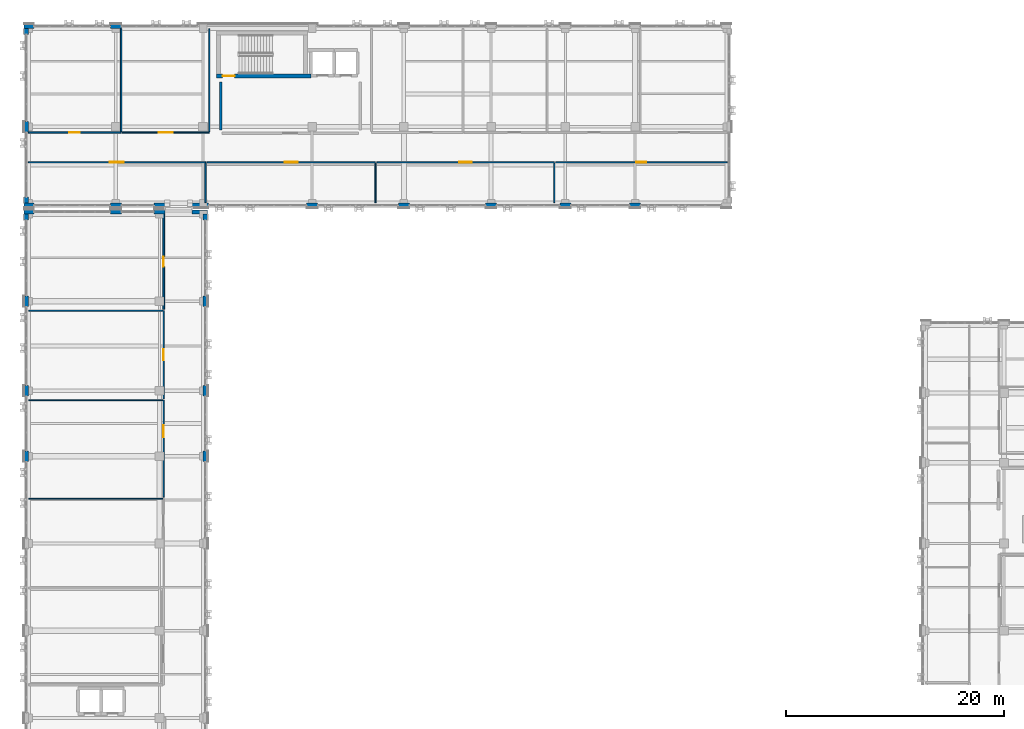
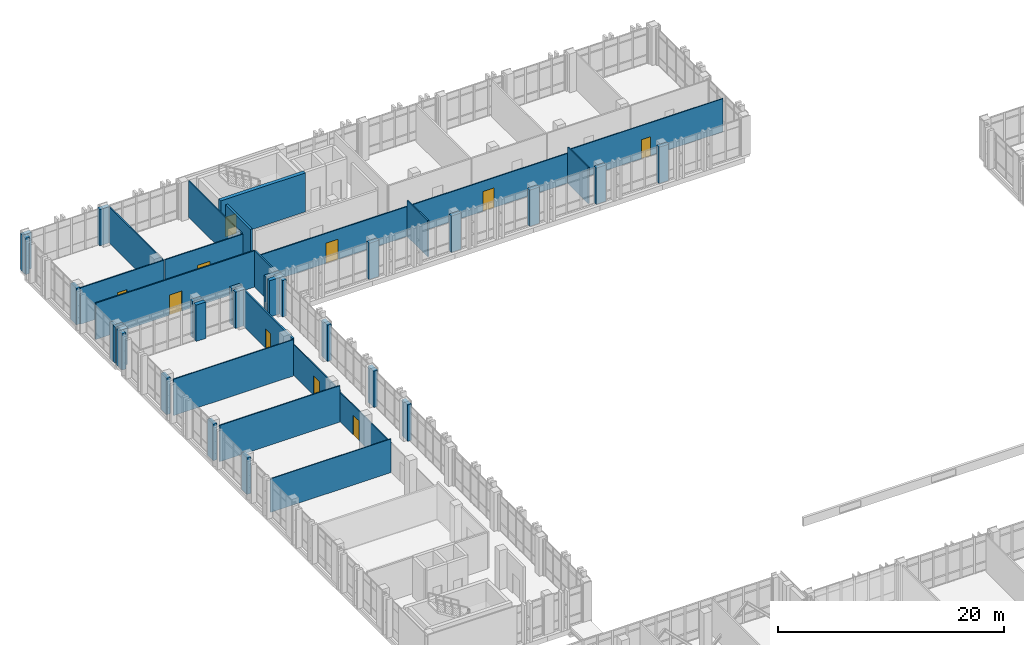
# One storey, part 133 of 158: 45 walls, 10 doors, 10 openings.
"""IFC4 building model written with IfcOpenShell, lengths in metres."""

from ifc_helpers import new_model, si_unit, direction, frame, frame_2d, origin, place, context, subcontext, project, spatial, rectangle, extrude, material, layer, layer_set, type_object, element, fill, save


model = new_model("IFC4")

# Units and contexts
model_context = context("Model", 3, precision=1e-05, world=origin(), true_north=direction((0.0, 1.0)))
body_context = subcontext(model_context, "Body", "Model", "MODEL_VIEW")
ifc_project = project(units=[si_unit("LENGTHUNIT", "METRE"), si_unit("AREAUNIT", "SQUARE_METRE"), si_unit("VOLUMEUNIT", "CUBIC_METRE"), si_unit("PLANEANGLEUNIT", "RADIAN"), si_unit("MASSUNIT", "GRAM", prefix="KILO")], contexts=[model_context])

# Site, building, storey
site_placement = place(None, origin())
site = spatial("IfcSite", under=ifc_project, at=site_placement, CompositionType="ELEMENT")
building_placement = place(site_placement, origin())
building = spatial("IfcBuilding", under=site, at=building_placement, Name="Qalavern Law Courts", CompositionType="ELEMENT")
storey_placement = place(building_placement, frame((0.0, 0.0, 18.60009765625)))
storey = spatial("IfcBuildingStorey", under=building, at=storey_placement, Name="L04", CompositionType="ELEMENT", Elevation=18.60009765625)

# Walls
ifc_material_1 = material(Name="Concrete C40/50", Category="concrete")
ifc_layer_1 = layer(ifc_material_1, 0.39990234375)
ifc_layer_set_1 = layer_set([ifc_layer_1], Name="Concrete C40/50")
wall_type_1 = type_object("IfcWallType", Name="ENV-EW-400", PredefinedType="SOLIDWALL", material=ifc_layer_set_1)
for number, where, z_axis, x_axis, name in (
    (1, (18.60009765625, 72.89990234375, 0.0), (0.0, 0.0, 1.0), (0.0, 1.0, 0.0), "V3 exterior pier wall L04 east 5"),
    (2, (18.60009765625, 78.89990234375, 0.0), (0.0, 0.0, 1.0), (0.0, 1.0, 0.0), "V3 exterior pier wall L04 east 6"),
    (3, (18.60009765625, 87.10009765625, 0.0), (0.0, 0.0, 1.0), (0.0, 1.0, 0.0), "V3 exterior pier wall L04 east 7"),
):
    element("IfcWall", number, at=place(storey_placement, frame(where, z_axis=z_axis, x_axis=x_axis)), inside=storey, type_object=wall_type_1, Name=name, PredefinedType="SOLIDWALL", context=body_context, shape_type="SweptSolid", body=[
        extrude(rectangle(XDim=1.0, YDim=0.39990234375, at=frame_2d((0.5, 0.0))), origin(), (0.0, 0.0, 1.0), 3.9248046875),
    ])
wall_1_placement = place(storey_placement, frame((18.60009765625, 95.034912109375, 0.0), z_axis=(0.0, 0.0, 1.0), x_axis=(0.0, 1.0, 0.0)))
element("IfcWall", 4, at=wall_1_placement, inside=storey, type_object=wall_type_1, Name="V3 exterior pier wall L04 east 8", PredefinedType="SOLIDWALL", context=body_context, shape_type="SweptSolid", body=[
    extrude(rectangle(XDim=0.550048828125, YDim=0.39990234375, at=frame_2d((0.27490234375, 0.0))), origin(), (0.0, 0.0, 1.0), 3.9248046875),
])
wall_2_placement = place(storey_placement, frame((18.800048828125, 95.780029296875, 0.0), z_axis=(0.0, 0.0, 1.0), x_axis=(-1.0, 0.0, 0.0)))
element("IfcWall", 5, at=wall_2_placement, inside=storey, type_object=wall_type_1, Name="V3 exterior wall L04 north 1", PredefinedType="SOLIDWALL", context=body_context, shape_type="SweptSolid", body=[
    extrude(rectangle(XDim=1.400146484375, YDim=0.39990234375, at=frame_2d((0.7001953125, 0.0))), origin(), (0.0, 0.0, 1.0), 3.9248046875),
])
for number, where, z_axis, x_axis, name in (
    (6, (14.89990234375, 95.780029296875, 0.0), (0.0, 0.0, 1.0), (-1.0, 0.0, 0.0), "V3 exterior pier wall L04 north 1"),
    (7, (10.89990234375, 95.780029296875, 0.0), (0.0, 0.0, 1.0), (-1.0, 0.0, 0.0), "V3 exterior pier wall L04 north 2"),
):
    element("IfcWall", number, at=place(storey_placement, frame(where, z_axis=z_axis, x_axis=x_axis)), inside=storey, type_object=wall_type_1, Name=name, PredefinedType="SOLIDWALL", context=body_context, shape_type="SweptSolid", body=[
        extrude(rectangle(XDim=1.0, YDim=0.39990234375, at=frame_2d((0.5, 0.0))), origin(), (0.0, 0.0, 1.0), 3.9248046875),
    ])
wall_3_placement = place(storey_placement, frame((2.89990234375, 95.780029296875, 0.0), z_axis=(0.0, 0.0, 1.0), x_axis=(-1.0, 0.0, 0.0)))
element("IfcWall", 8, at=wall_3_placement, inside=storey, type_object=wall_type_1, Name="V3 exterior pier wall L04 north 3", PredefinedType="SOLIDWALL", context=body_context, shape_type="SweptSolid", body=[
    extrude(rectangle(XDim=0.89990234375, YDim=0.39990234375, at=frame_2d((0.449951171875, 0.0))), origin(), (0.0, 0.0, 1.0), 3.9248046875),
])
wall_4_placement = place(storey_placement, frame((2.199951171875, 95.5849609375, 0.0), z_axis=(0.0, 0.0, 1.0), x_axis=(0.0, -1.0, 0.0)))
element("IfcWall", 9, at=wall_4_placement, inside=storey, type_object=wall_type_1, Name="V3 exterior pier wall L04 west 1", PredefinedType="SOLIDWALL", context=body_context, shape_type="SweptSolid", body=[
    extrude(rectangle(XDim=0.550048828125, YDim=0.39990234375, at=frame_2d((0.27490234375, 0.0))), origin(), (0.0, 0.0, 1.0), 3.9248046875),
])
for number, where, z_axis, x_axis, name in (
    (10, (2.199951171875, 88.10009765625, 0.0), (0.0, 0.0, 1.0), (0.0, -1.0, 0.0), "V3 exterior pier wall L04 west 2"),
    (11, (2.199951171875, 79.89990234375, 0.0), (0.0, 0.0, 1.0), (0.0, -1.0, 0.0), "V3 exterior pier wall L04 west 3"),
    (12, (2.199951171875, 73.89990234375, 0.0), (0.0, 0.0, 1.0), (0.0, -1.0, 0.0), "V3 exterior pier wall L04 west 4"),
):
    element("IfcWall", number, at=place(storey_placement, frame(where, z_axis=z_axis, x_axis=x_axis)), inside=storey, type_object=wall_type_1, Name=name, PredefinedType="SOLIDWALL", context=body_context, shape_type="SweptSolid", body=[
        extrude(rectangle(XDim=1.0, YDim=0.39990234375, at=frame_2d((0.5, 0.0))), origin(), (0.0, 0.0, 1.0), 3.9248046875),
    ])
wall_5_placement = place(storey_placement, frame((2.0, 96.39990234375, 0.0), z_axis=(0.0, 0.0, 1.0), x_axis=(1.0, 0.0, 0.0)))
element("IfcWall", 13, at=wall_5_placement, inside=storey, type_object=wall_type_1, Name="V5 exterior pier wall L04 south 1", PredefinedType="SOLIDWALL", context=body_context, shape_type="SweptSolid", body=[
    extrude(rectangle(XDim=0.89990234375, YDim=0.39990234375, at=frame_2d((0.449951171875, 0.0))), origin(), (0.0, 0.0, 1.0), 3.9248046875),
])
for number, where, z_axis, x_axis, name in (
    (14, (9.89990234375, 96.39990234375, 0.0), (0.0, 0.0, 1.0), (1.0, 0.0, 0.0), "V5 exterior pier wall L04 south 2"),
    (15, (13.89990234375, 96.39990234375, 0.0), (0.0, 0.0, 1.0), (1.0, 0.0, 0.0), "V5 exterior pier wall L04 south 3"),
):
    element("IfcWall", number, at=place(storey_placement, frame(where, z_axis=z_axis, x_axis=x_axis)), inside=storey, type_object=wall_type_1, Name=name, PredefinedType="SOLIDWALL", context=body_context, shape_type="SweptSolid", body=[
        extrude(rectangle(XDim=1.0, YDim=0.39990234375, at=frame_2d((0.5, 0.0))), origin(), (0.0, 0.0, 1.0), 3.9248046875),
    ])
wall_6_placement = place(storey_placement, frame((17.39990234375, 96.39990234375, 0.0), z_axis=(0.0, 0.0, 1.0), x_axis=(1.0, 0.0, 0.0)))
element("IfcWall", 16, at=wall_6_placement, inside=storey, type_object=wall_type_1, Name="V5 exterior pier wall L04 south 1", PredefinedType="SOLIDWALL", context=body_context, shape_type="SweptSolid", body=[
    extrude(rectangle(XDim=1.5, YDim=0.39990234375, at=frame_2d((0.75, 0.0))), origin(), (0.0, 0.0, 1.0), 3.9248046875),
])
for number, where, z_axis, x_axis, name in (
    (17, (27.89990234375, 96.39990234375, 0.0), (0.0, 0.0, 1.0), (1.0, 0.0, 0.0), "V5 exterior pier wall L04 south 2"),
    (18, (36.300048828125, 96.39990234375, 0.0), (0.0, 0.0, 1.0), (1.0, 0.0, 0.0), "V5 exterior pier wall L04 south 3"),
    (19, (44.300048828125, 96.39990234375, 0.0), (0.0, 0.0, 1.0), (1.0, 0.0, 0.0), "V5 exterior pier wall L04 south 4"),
    (20, (51.10009765625, 96.39990234375, 0.0), (0.0, 0.0, 1.0), (1.0, 0.0, 0.0), "V5 exterior pier wall L04 south 5"),
    (21, (57.5, 96.39990234375, 0.0), (0.0, 0.0, 1.0), (1.0, 0.0, 0.0), "V5 exterior pier wall L04 south 6"),
    (22, (10.89990234375, 112.800048828125, 0.0), (0.0, 0.0, 1.0), (-1.0, 0.0, 0.0), "V5 exterior pier wall L04 north 7"),
):
    element("IfcWall", number, at=place(storey_placement, frame(where, z_axis=z_axis, x_axis=x_axis)), inside=storey, type_object=wall_type_1, Name=name, PredefinedType="SOLIDWALL", context=body_context, shape_type="SweptSolid", body=[
        extrude(rectangle(XDim=1.0, YDim=0.39990234375, at=frame_2d((0.5, 0.0))), origin(), (0.0, 0.0, 1.0), 3.9248046875),
    ])
wall_7_placement = place(storey_placement, frame((2.89990234375, 112.800048828125, 0.0), z_axis=(0.0, 0.0, 1.0), x_axis=(-1.0, 0.0, 0.0)))
element("IfcWall", 23, at=wall_7_placement, inside=storey, type_object=wall_type_1, Name="V5 exterior pier wall L04 north 8", PredefinedType="SOLIDWALL", context=body_context, shape_type="SweptSolid", body=[
    extrude(rectangle(XDim=0.89990234375, YDim=0.39990234375, at=frame_2d((0.449951171875, 0.0))), origin(), (0.0, 0.0, 1.0), 3.9248046875),
])
wall_8_placement = place(storey_placement, frame((2.199951171875, 112.60498046875, 0.0), z_axis=(0.0, 0.0, 1.0), x_axis=(0.0, -1.0, 0.0)))
element("IfcWall", 24, at=wall_8_placement, inside=storey, type_object=wall_type_1, Name="V5 exterior pier wall L04 west 1", PredefinedType="SOLIDWALL", context=body_context, shape_type="SweptSolid", body=[
    extrude(rectangle(XDim=0.550048828125, YDim=0.39990234375, at=frame_2d((0.27490234375, 0.0))), origin(), (0.0, 0.0, 1.0), 3.9248046875),
])
wall_9_placement = place(storey_placement, frame((2.199951171875, 104.10009765625, 0.0), z_axis=(0.0, 0.0, 1.0), x_axis=(0.0, -1.0, 0.0)))
element("IfcWall", 25, at=wall_9_placement, inside=storey, type_object=wall_type_1, Name="V5 exterior pier wall L04 west 2", PredefinedType="SOLIDWALL", context=body_context, shape_type="SweptSolid", body=[
    extrude(rectangle(XDim=1.0, YDim=0.39990234375, at=frame_2d((0.5, 0.0))), origin(), (0.0, 0.0, 1.0), 3.9248046875),
])
wall_10_placement = place(storey_placement, frame((2.199951171875, 97.14501953125, 0.0), z_axis=(0.0, 0.0, 1.0), x_axis=(0.0, -1.0, 0.0)))
element("IfcWall", 26, at=wall_10_placement, inside=storey, type_object=wall_type_1, Name="V5 exterior pier wall L04 west 3", PredefinedType="SOLIDWALL", context=body_context, shape_type="SweptSolid", body=[
    extrude(rectangle(XDim=0.550048828125, YDim=0.39990234375, at=frame_2d((0.27490234375, 0.0))), origin(), (0.0, 0.0, 1.0), 3.9248046875),
])

# Wall, opening, door
ifc_material_2 = material(Name="Concrete C45/55", Category="concrete")
ifc_layer_2 = layer(ifc_material_2, 0.375)
ifc_layer_set_2 = layer_set([ifc_layer_2], Name="Concrete C45/55")
wall_type_2 = type_object("IfcWallType", Name="INT-CW-375", PredefinedType="SHEAR", material=ifc_layer_set_2)
wall_11_placement = place(storey_placement, frame((19.625, 108.262451171875, 0.0), z_axis=(0.0, 0.0, 1.0), x_axis=(1.0, 0.0, 0.0)))
wall_11 = element("IfcWall", 27, at=wall_11_placement, inside=storey, type_object=wall_type_2, Name="Core K3 stair shear wall L04 south", PredefinedType="SHEAR", context=body_context, shape_type="SweptSolid", body=[
    extrude(rectangle(XDim=8.66943359375, YDim=0.375, at=frame_2d((4.334716796875, 0.0))), origin(), (0.0, 0.0, 1.0), 4.199951171875),
])
opening_1_placement = place(wall_11_placement, frame((0.574951171875, 0.0, 0.0)))
opening_1 = element("IfcOpeningElement", 28, at=opening_1_placement, cuts=wall_11, Name="Opening L04-D081", PredefinedType="OPENING", context=body_context, shape_type="SweptSolid", body=[
    extrude(rectangle(XDim=1.10009765625, YDim=2.14990234375, at=frame_2d((0.550048828125, 1.074951171875))), frame((0.0, 0.202392578125, 0.0), z_axis=(0.0, -1.0, 0.0), x_axis=(1.0, 0.0, 0.0)), (0.0, 0.0, 1.0), 0.40478515625),
])
ifc_material_3 = material(Name="Steel fire-rated stair enclosure door", Category="steel")
door_type_1 = type_object("IfcDoorType", Name="INT-FD-1100x2150", OperationType="NOTDEFINED", PredefinedType="DOOR", material=ifc_material_3)
door_1_placement = place(opening_1_placement, frame((1.10009765625, 0.0, 0.0), z_axis=(0.0, 0.0, 1.0), x_axis=(-1.0, 0.0, 0.0)))
door_1 = element("IfcDoor", 29, at=door_1_placement, inside=storey, type_object=door_type_1, Name="Stair K3 fire door L04", OperationType="SINGLE_SWING_LEFT", OverallHeight=2.14990234375, OverallWidth=1.10009765625, PredefinedType="DOOR", context=body_context, shape_type="SweptSolid", body=[
    extrude(rectangle(XDim=1.10009765625, YDim=2.14990234375, at=frame_2d((0.550048828125, 1.074951171875))), frame((0.0, 0.02490234375, 0.0), z_axis=(0.0, -1.0, 0.0), x_axis=(1.0, 0.0, 0.0)), (0.0, 0.0, 1.0), 0.050048828125),
])
fill(opening_1, door_1)

# Walls
ifc_layer_3 = layer(ifc_material_1, 0.22509765625)
ifc_layer_set_3 = layer_set([ifc_layer_3], Name="Concrete C40/50")
wall_type_3 = type_object("IfcWallType", Name="INT-FW-225", PredefinedType="PARTITIONING", material=ifc_layer_set_3)
wall_12_placement = place(storey_placement, frame((20.0, 103.300048828125, 0.0), z_axis=(0.0, 0.0, 1.0), x_axis=(0.0, 1.0, 0.0)))
element("IfcWall", 30, at=wall_12_placement, inside=storey, type_object=wall_type_3, Name="Core K3 lobby return wall L04 west", PredefinedType="PARTITIONING", context=body_context, shape_type="SweptSolid", body=[
    extrude(rectangle(XDim=4.39990234375, YDim=0.22509765625, at=frame_2d((2.199951171875, 0.0))), origin(), (0.0, 0.0, 1.0), 3.9248046875),
])
ifc_material_4 = material(Name="Gypsum shaft/chase partition")
ifc_layer_4 = layer(ifc_material_4, 0.092041015625)
ifc_layer_set_4 = layer_set([ifc_layer_4], Name="Gypsum shaft/chase partition")
wall_type_4 = type_object("IfcWallType", Name="INT-PW-092", PredefinedType="PARTITIONING", material=ifc_layer_set_4)
wall_13_placement = place(storey_placement, frame((2.43994140625, 69.51904296875, 0.0), z_axis=(0.0, 0.0, 1.0), x_axis=(1.0, 0.0, 0.0)))
element("IfcWall", 31, at=wall_13_placement, inside=storey, type_object=wall_type_4, Name="Custody Holding Cell cross partition L04 north", PredefinedType="PARTITIONING", context=body_context, shape_type="SweptSolid", body=[
    extrude(rectangle(XDim=12.2841796875, YDim=0.092041015625, at=frame_2d((6.14208984375, 0.0))), origin(), (0.0, 0.0, 1.0), 3.635009765625),
])

# Wall, opening, door
ifc_material_5 = material(Name="Gypsum sanitary partition")
ifc_layer_5 = layer(ifc_material_5, 0.10205078125)
ifc_layer_set_5 = layer_set([ifc_layer_5], Name="Gypsum sanitary partition")
wall_type_5 = type_object("IfcWallType", Name="INT-PW-102", PredefinedType="PARTITIONING", material=ifc_layer_set_5)
wall_14_placement = place(storey_placement, frame((14.7900390625, 78.658935546875, 0.0), z_axis=(0.0, 0.0, 1.0), x_axis=(0.0, 1.0, 0.0)))
wall_14 = element("IfcWall", 32, at=wall_14_placement, inside=storey, type_object=wall_type_5, Name="Public Prosecutor Chambers corridor partition L04", PredefinedType="PARTITIONING", context=body_context, shape_type="SweptSolid", body=[
    extrude(rectangle(XDim=8.074951171875, YDim=0.10205078125, at=frame_2d((4.03759765625, 0.0))), origin(), (0.0, 0.0, 1.0), 3.35498046875),
])
opening_2_placement = place(wall_14_placement, frame((3.5224609375, 0.0, 0.0)))
opening_2 = element("IfcOpeningElement", 33, at=opening_2_placement, cuts=wall_14, Name="Opening L04-D231", PredefinedType="OPENING", context=body_context, shape_type="SweptSolid", body=[
    extrude(rectangle(XDim=1.030029296875, YDim=2.110107421875, at=frame_2d((0.51513671875, 1.05517578125))), frame((0.0, 0.06591796875, 0.0), z_axis=(0.0, -1.0, 0.0), x_axis=(1.0, 0.0, 0.0)), (0.0, 0.0, 1.0), 0.1318359375),
])
ifc_material_6 = material(Name="Oak Mediation Suite door")
door_type_2 = type_object("IfcDoorType", Name="INT-ID-1030x2110", OperationType="NOTDEFINED", PredefinedType="DOOR", material=ifc_material_6)
door_2_placement = place(opening_2_placement, frame((1.030029296875, 0.0, 0.0), z_axis=(0.0, 0.0, 1.0), x_axis=(-1.0, 0.0, 0.0)))
door_2 = element("IfcDoor", 34, at=door_2_placement, inside=storey, type_object=door_type_2, Name="Public Prosecutor Chambers door L04", OperationType="SINGLE_SWING_RIGHT", OverallHeight=2.110107421875, OverallWidth=1.030029296875, PredefinedType="DOOR", context=body_context, shape_type="SweptSolid", body=[
    extrude(rectangle(XDim=1.030029296875, YDim=2.110107421875, at=frame_2d((0.51513671875, 1.05517578125))), frame((0.0, 0.02490234375, 0.0), z_axis=(0.0, -1.0, 0.0), x_axis=(1.0, 0.0, 0.0)), (0.0, 0.0, 1.0), 0.050048828125),
])
fill(opening_2, door_2)

# Wall
wall_15_placement = place(storey_placement, frame((2.43994140625, 86.73388671875, 0.0), z_axis=(0.0, 0.0, 1.0), x_axis=(1.0, 0.0, 0.0)))
element("IfcWall", 35, at=wall_15_placement, inside=storey, type_object=wall_type_5, Name="Public Prosecutor Chambers cross partition L04 north", PredefinedType="PARTITIONING", context=body_context, shape_type="SweptSolid", body=[
    extrude(rectangle(XDim=12.279052734375, YDim=0.10205078125, at=frame_2d((6.1396484375, 0.0))), origin(), (0.0, 0.0, 1.0), 3.9248046875),
])

# Wall, opening, door
wall_16_placement = place(storey_placement, frame((50.715087890625, 100.340087890625, 0.0), z_axis=(0.0, 0.0, 1.0), x_axis=(1.0, 0.0, 0.0)))
wall_16 = element("IfcWall", 36, at=wall_16_placement, inside=storey, type_object=wall_type_5, Name="Staff WC corridor partition L04", PredefinedType="PARTITIONING", context=body_context, shape_type="SweptSolid", body=[
    extrude(rectangle(XDim=15.704833984375, YDim=0.10205078125, at=frame_2d((7.8525390625, 0.0))), origin(), (0.0, 0.0, 1.0), 3.583984375),
])
opening_3_placement = place(wall_16_placement, frame((7.392578125, 0.0, 0.0)))
opening_3 = element("IfcOpeningElement", 37, at=opening_3_placement, cuts=wall_16, Name="Opening L04-D382", PredefinedType="OPENING", context=body_context, shape_type="SweptSolid", body=[
    extrude(rectangle(XDim=0.919921875, YDim=2.06005859375, at=frame_2d((0.4599609375, 1.030029296875))), frame((0.0, 0.06591796875, 0.0), z_axis=(0.0, -1.0, 0.0), x_axis=(1.0, 0.0, 0.0)), (0.0, 0.0, 1.0), 0.1318359375),
])
ifc_material_7 = material(Name="Public and Staff WC door")
door_type_3 = type_object("IfcDoorType", Name="INT-ID-920x2060", OperationType="NOTDEFINED", PredefinedType="DOOR", material=ifc_material_7)
door_3_placement = place(opening_3_placement, frame((0.919921875, 0.0, 0.0), z_axis=(0.0, 0.0, 1.0), x_axis=(-1.0, 0.0, 0.0)))
door_3 = element("IfcDoor", 38, at=door_3_placement, inside=storey, type_object=door_type_3, Name="Staff WC door L04", OperationType="SINGLE_SWING_LEFT", OverallHeight=2.06005859375, OverallWidth=0.919921875, PredefinedType="DOOR", context=body_context, shape_type="SweptSolid", body=[
    extrude(rectangle(XDim=0.919921875, YDim=2.06005859375, at=frame_2d((0.4599609375, 1.030029296875))), frame((0.0, 0.02490234375, 0.0), z_axis=(0.0, -1.0, 0.0), x_axis=(1.0, 0.0, 0.0)), (0.0, 0.0, 1.0), 0.050048828125),
])
fill(opening_3, door_3)

ifc_material_8 = material(Name="Gypsum stud partition")
ifc_layer_6 = layer(ifc_material_8, 0.112060546875)
ifc_layer_set_6 = layer_set([ifc_layer_6], Name="Gypsum stud partition")
wall_type_6 = type_object("IfcWallType", Name="INT-PW-112", PredefinedType="PARTITIONING", material=ifc_layer_set_6)
wall_17_placement = place(storey_placement, frame((14.7900390625, 69.638916015625, 0.0), z_axis=(0.0, 0.0, 1.0), x_axis=(0.0, 1.0, 0.0)))
wall_17 = element("IfcWall", 39, at=wall_17_placement, inside=storey, type_object=wall_type_6, Name="Jury Deliberation Suite corridor partition L04", PredefinedType="PARTITIONING", context=body_context, shape_type="SweptSolid", body=[
    extrude(rectangle(XDim=8.900146484375, YDim=0.112060546875, at=frame_2d((4.4501953125, 0.0))), origin(), (0.0, 0.0, 1.0), 3.15478515625),
])
opening_4_placement = place(wall_17_placement, frame((5.52001953125, 0.0, 0.0)))
opening_4 = element("IfcOpeningElement", 40, at=opening_4_placement, cuts=wall_17, Name="Opening L04-D230", PredefinedType="OPENING", context=body_context, shape_type="SweptSolid", body=[
    extrude(rectangle(XDim=1.06005859375, YDim=2.1201171875, at=frame_2d((0.530029296875, 1.06005859375))), frame((0.0, 0.07080078125, 0.0), z_axis=(0.0, -1.0, 0.0), x_axis=(1.0, 0.0, 0.0)), (0.0, 0.0, 1.0), 0.141845703125),
])
ifc_material_9 = material(Name="Solid oak Trial Judges' Chambers door")
door_type_4 = type_object("IfcDoorType", Name="INT-ID-1060x2120", OperationType="NOTDEFINED", PredefinedType="DOOR", material=ifc_material_9)
door_4_placement = place(opening_4_placement, frame((1.06005859375, 0.0, 0.0), z_axis=(0.0, 0.0, 1.0), x_axis=(-1.0, 0.0, 0.0)))
door_4 = element("IfcDoor", 41, at=door_4_placement, inside=storey, type_object=door_type_4, Name="Jury Deliberation Suite door L04", OperationType="SINGLE_SWING_LEFT", OverallHeight=2.1201171875, OverallWidth=1.06005859375, PredefinedType="DOOR", context=body_context, shape_type="SweptSolid", body=[
    extrude(rectangle(XDim=1.06005859375, YDim=2.1201171875, at=frame_2d((0.530029296875, 1.06005859375))), frame((0.0, 0.02490234375, 0.0), z_axis=(0.0, -1.0, 0.0), x_axis=(1.0, 0.0, 0.0)), (0.0, 0.0, 1.0), 0.050048828125),
])
fill(opening_4, door_4)

# Wall
wall_18_placement = place(storey_placement, frame((2.43994140625, 78.5390625, 0.0), z_axis=(0.0, 0.0, 1.0), x_axis=(1.0, 0.0, 0.0)))
element("IfcWall", 42, at=wall_18_placement, inside=storey, type_object=wall_type_6, Name="Jury Deliberation Suite cross partition L04 north", PredefinedType="PARTITIONING", context=body_context, shape_type="SweptSolid", body=[
    extrude(rectangle(XDim=12.274169921875, YDim=0.112060546875, at=frame_2d((6.13720703125, 0.0))), origin(), (0.0, 0.0, 1.0), 3.9248046875),
])

# Wall, opening, door
wall_19_placement = place(storey_placement, frame((34.322021484375, 100.340087890625, 0.0), z_axis=(0.0, 0.0, 1.0), x_axis=(1.0, 0.0, 0.0)))
wall_19 = element("IfcWall", 43, at=wall_19_placement, inside=storey, type_object=wall_type_6, Name="Appellate Research Suite corridor partition L04", PredefinedType="PARTITIONING", context=body_context, shape_type="SweptSolid", body=[
    extrude(rectangle(XDim=16.27294921875, YDim=0.112060546875, at=frame_2d((8.136474609375, 0.0))), origin(), (0.0, 0.0, 1.0), 3.23388671875),
])
opening_5_placement = place(wall_19_placement, frame((7.576416015625, 0.0, 0.0)))
opening_5 = element("IfcOpeningElement", 44, at=opening_5_placement, cuts=wall_19, Name="Opening L04-D381", PredefinedType="OPENING", context=body_context, shape_type="SweptSolid", body=[
    extrude(rectangle(XDim=1.1201171875, YDim=2.139892578125, at=frame_2d((0.56005859375, 1.06982421875))), frame((0.0, 0.07080078125, 0.0), z_axis=(0.0, -1.0, 0.0), x_axis=(1.0, 0.0, 0.0)), (0.0, 0.0, 1.0), 0.141845703125),
])
ifc_material_10 = material(Name="Solid oak Appellate Chambers door")
door_type_5 = type_object("IfcDoorType", Name="INT-ID-1120x2140", OperationType="NOTDEFINED", PredefinedType="DOOR", material=ifc_material_10)
door_5_placement = place(opening_5_placement, frame((1.1201171875, 0.0, 0.0), z_axis=(0.0, 0.0, 1.0), x_axis=(-1.0, 0.0, 0.0)))
door_5 = element("IfcDoor", 45, at=door_5_placement, inside=storey, type_object=door_type_5, Name="Appellate Research Suite door L04", OperationType="SINGLE_SWING_RIGHT", OverallHeight=2.139892578125, OverallWidth=1.1201171875, PredefinedType="DOOR", context=body_context, shape_type="SweptSolid", body=[
    extrude(rectangle(XDim=1.1201171875, YDim=2.139892578125, at=frame_2d((0.56005859375, 1.06982421875))), frame((0.0, 0.02490234375, 0.0), z_axis=(0.0, -1.0, 0.0), x_axis=(1.0, 0.0, 0.0)), (0.0, 0.0, 1.0), 0.050048828125),
])
fill(opening_5, door_5)

# Wall
wall_20_placement = place(storey_placement, frame((50.594970703125, 96.639892578125, 0.0), z_axis=(0.0, 0.0, 1.0), x_axis=(0.0, 1.0, 0.0)))
element("IfcWall", 46, at=wall_20_placement, inside=storey, type_object=wall_type_6, Name="Appellate Research Suite cross partition L04 east", PredefinedType="PARTITIONING", context=body_context, shape_type="SweptSolid", body=[
    extrude(rectangle(XDim=3.6240234375, YDim=0.112060546875, at=frame_2d((1.81201171875, 0.0))), origin(), (0.0, 0.0, 1.0), 3.9248046875),
])

# Wall, opening, door
wall_21_placement = place(storey_placement, frame((11.0048828125, 103.06005859375, 0.0), z_axis=(0.0, 0.0, 1.0), x_axis=(1.0, 0.0, 0.0)))
wall_21 = element("IfcWall", 47, at=wall_21_placement, inside=storey, type_object=wall_type_6, Name="Judicial Clerks' Office corridor partition L04", PredefinedType="PARTITIONING", context=body_context, shape_type="SweptSolid", body=[
    extrude(rectangle(XDim=7.955078125, YDim=0.112060546875, at=frame_2d((3.9775390625, 0.0))), origin(), (0.0, 0.0, 1.0), 3.9248046875),
])
opening_6_placement = place(wall_21_placement, frame((3.33740234375, 0.0, 0.0)))
opening_6 = element("IfcOpeningElement", 48, at=opening_6_placement, cuts=wall_21, Name="Opening L04-D388", PredefinedType="OPENING", context=body_context, shape_type="SweptSolid", body=[
    extrude(rectangle(XDim=1.280029296875, YDim=2.179931640625, at=frame_2d((0.64013671875, 1.08984375))), frame((0.0, 0.07080078125, 0.0), z_axis=(0.0, -1.0, 0.0), x_axis=(1.0, 0.0, 0.0)), (0.0, 0.0, 1.0), 0.141845703125),
])
ifc_material_11 = material(Name="Wide oak Judicial Conference door")
door_type_6 = type_object("IfcDoorType", Name="INT-ID-1280x2180", OperationType="NOTDEFINED", PredefinedType="DOOR", material=ifc_material_11)
door_6_placement = place(opening_6_placement, origin())
door_6 = element("IfcDoor", 49, at=door_6_placement, inside=storey, type_object=door_type_6, Name="Judicial Clerks' Office door L04", OperationType="SINGLE_SWING_LEFT", OverallHeight=2.179931640625, OverallWidth=1.280029296875, PredefinedType="DOOR", context=body_context, shape_type="SweptSolid", body=[
    extrude(rectangle(XDim=1.280029296875, YDim=2.179931640625, at=frame_2d((0.64013671875, 1.08984375))), frame((0.0, 0.02490234375, 0.0), z_axis=(0.0, -1.0, 0.0), x_axis=(1.0, 0.0, 0.0)), (0.0, 0.0, 1.0), 0.050048828125),
])
fill(opening_6, door_6)

# Wall
wall_22_placement = place(storey_placement, frame((18.9599609375, 103.135986328125, 0.0), z_axis=(0.0, 0.0, 1.0), x_axis=(0.0, 1.0, 0.0)))
element("IfcWall", 50, at=wall_22_placement, inside=storey, type_object=wall_type_6, Name="Judicial Clerks' Office cross partition L04 east", PredefinedType="PARTITIONING", context=body_context, shape_type="SweptSolid", body=[
    extrude(rectangle(XDim=9.424072265625, YDim=0.112060546875, at=frame_2d((4.7119140625, 0.0))), origin(), (0.0, 0.0, 1.0), 3.9248046875),
])

# Wall, opening, door
ifc_layer_7 = layer(ifc_material_8, 0.1220703125)
ifc_layer_set_7 = layer_set([ifc_layer_7], Name="Gypsum stud partition")
wall_type_7 = type_object("IfcWallType", Name="INT-PW-122", PredefinedType="PARTITIONING", material=ifc_layer_set_7)
wall_23_placement = place(storey_placement, frame((18.7548828125, 100.340087890625, 0.0), z_axis=(0.0, 0.0, 1.0), x_axis=(1.0, 0.0, 0.0)))
wall_23 = element("IfcWall", 51, at=wall_23_placement, inside=storey, type_object=wall_type_7, Name="Judicial Clerks' Office corridor partition L04", PredefinedType="PARTITIONING", context=body_context, shape_type="SweptSolid", body=[
    extrude(rectangle(XDim=15.447021484375, YDim=0.1220703125, at=frame_2d((7.7236328125, 0.0))), origin(), (0.0, 0.0, 1.0), 3.23388671875),
])
opening_7_placement = place(wall_23_placement, frame((7.113525390625, 0.0, 0.0)))
opening_7 = element("IfcOpeningElement", 52, at=opening_7_placement, cuts=wall_23, Name="Opening L04-D380", PredefinedType="OPENING", context=body_context, shape_type="SweptSolid", body=[
    extrude(rectangle(XDim=1.219970703125, YDim=2.179931640625, at=frame_2d((0.60986328125, 1.08984375))), frame((0.0, 0.075927734375, 0.0), z_axis=(0.0, -1.0, 0.0), x_axis=(1.0, 0.0, 0.0)), (0.0, 0.0, 1.0), 0.15185546875),
])
ifc_material_12 = material(Name="Wide oak Plenary Boardroom door")
door_type_7 = type_object("IfcDoorType", Name="INT-ID-1220x2180", OperationType="NOTDEFINED", PredefinedType="DOOR", material=ifc_material_12)
door_7_placement = place(opening_7_placement, frame((1.219970703125, 0.0, 0.0), z_axis=(0.0, 0.0, 1.0), x_axis=(-1.0, 0.0, 0.0)))
door_7 = element("IfcDoor", 53, at=door_7_placement, inside=storey, type_object=door_type_7, Name="Judicial Clerks' Office door L04", OperationType="SINGLE_SWING_LEFT", OverallHeight=2.179931640625, OverallWidth=1.219970703125, PredefinedType="DOOR", context=body_context, shape_type="SweptSolid", body=[
    extrude(rectangle(XDim=1.219970703125, YDim=2.179931640625, at=frame_2d((0.60986328125, 1.08984375))), frame((0.0, 0.02490234375, 0.0), z_axis=(0.0, -1.0, 0.0), x_axis=(1.0, 0.0, 0.0)), (0.0, 0.0, 1.0), 0.050048828125),
])
fill(opening_7, door_7)

# Wall
wall_24_placement = place(storey_placement, frame((34.201904296875, 96.639892578125, 0.0), z_axis=(0.0, 0.0, 1.0), x_axis=(0.0, 1.0, 0.0)))
element("IfcWall", 54, at=wall_24_placement, inside=storey, type_object=wall_type_7, Name="Judicial Clerks' Office cross partition L04 east", PredefinedType="PARTITIONING", context=body_context, shape_type="SweptSolid", body=[
    extrude(rectangle(XDim=3.619140625, YDim=0.1220703125, at=frame_2d((1.8095703125, 0.0))), origin(), (0.0, 0.0, 1.0), 3.9248046875),
])

# Wall, opening, door
wall_25_placement = place(storey_placement, frame((2.3798828125, 103.06005859375, 0.0), z_axis=(0.0, 0.0, 1.0), x_axis=(1.0, 0.0, 0.0)))
wall_25 = element("IfcWall", 55, at=wall_25_placement, inside=storey, type_object=wall_type_7, Name="Judges' Chambers corridor partition L04", PredefinedType="PARTITIONING", context=body_context, shape_type="SweptSolid", body=[
    extrude(rectangle(XDim=8.505126953125, YDim=0.1220703125, at=frame_2d((4.25244140625, 0.0))), origin(), (0.0, 0.0, 1.0), 3.9248046875),
])
opening_8_placement = place(wall_25_placement, frame((3.7724609375, 0.0, 0.0)))
opening_8 = element("IfcOpeningElement", 56, at=opening_8_placement, cuts=wall_25, Name="Opening L04-D387", PredefinedType="OPENING", context=body_context, shape_type="SweptSolid", body=[
    extrude(rectangle(XDim=0.9599609375, YDim=2.080078125, at=frame_2d((0.47998046875, 1.0400390625))), frame((0.0, 0.075927734375, 0.0), z_axis=(0.0, -1.0, 0.0), x_axis=(1.0, 0.0, 0.0)), (0.0, 0.0, 1.0), 0.15185546875),
])
ifc_material_13 = material(Name="Timber Counsel Consultation door", Category="wood")
door_type_8 = type_object("IfcDoorType", Name="INT-ID-960x2080", OperationType="NOTDEFINED", PredefinedType="DOOR", material=ifc_material_13)
door_8_placement = place(opening_8_placement, origin())
door_8 = element("IfcDoor", 57, at=door_8_placement, inside=storey, type_object=door_type_8, Name="Judges' Chambers door L04", OperationType="SINGLE_SWING_RIGHT", OverallHeight=2.080078125, OverallWidth=0.9599609375, PredefinedType="DOOR", context=body_context, shape_type="SweptSolid", body=[
    extrude(rectangle(XDim=0.9599609375, YDim=2.080078125, at=frame_2d((0.47998046875, 1.0400390625))), frame((0.0, 0.02490234375, 0.0), z_axis=(0.0, -1.0, 0.0), x_axis=(1.0, 0.0, 0.0)), (0.0, 0.0, 1.0), 0.050048828125),
])
fill(opening_8, door_8)

# Wall
wall_26_placement = place(storey_placement, frame((10.885009765625, 103.14111328125, 0.0), z_axis=(0.0, 0.0, 1.0), x_axis=(0.0, 1.0, 0.0)))
element("IfcWall", 58, at=wall_26_placement, inside=storey, type_object=wall_type_7, Name="Judges' Chambers cross partition L04 east", PredefinedType="PARTITIONING", context=body_context, shape_type="SweptSolid", body=[
    extrude(rectangle(XDim=9.4189453125, YDim=0.1220703125, at=frame_2d((4.70947265625, 0.0))), origin(), (0.0, 0.0, 1.0), 3.9248046875),
])

# Wall, opening, door
ifc_layer_8 = layer(ifc_material_8, 0.132080078125)
ifc_layer_set_8 = layer_set([ifc_layer_8], Name="Gypsum stud partition")
wall_type_8 = type_object("IfcWallType", Name="INT-PW-132", PredefinedType="PARTITIONING", material=ifc_layer_set_8)
wall_27_placement = place(storey_placement, frame((2.3798828125, 100.340087890625, 0.0), z_axis=(0.0, 0.0, 1.0), x_axis=(1.0, 0.0, 0.0)))
wall_27 = element("IfcWall", 59, at=wall_27_placement, inside=storey, type_object=wall_type_8, Name="Judges' Chambers corridor partition L04", PredefinedType="PARTITIONING", context=body_context, shape_type="SweptSolid", body=[
    extrude(rectangle(XDim=16.255126953125, YDim=0.132080078125, at=frame_2d((8.12744140625, 0.0))), origin(), (0.0, 0.0, 1.0), 3.9248046875),
])
opening_9_placement = place(wall_27_placement, frame((7.487548828125, 0.0, 0.0)))
opening_9 = element("IfcOpeningElement", 60, at=opening_9_placement, cuts=wall_27, Name="Opening L04-D379", PredefinedType="OPENING", context=body_context, shape_type="SweptSolid", body=[
    extrude(rectangle(XDim=1.280029296875, YDim=2.179931640625, at=frame_2d((0.64013671875, 1.08984375))), frame((0.0, 0.0810546875, 0.0), z_axis=(0.0, -1.0, 0.0), x_axis=(1.0, 0.0, 0.0)), (0.0, 0.0, 1.0), 0.161865234375),
])
door_9_placement = place(opening_9_placement, frame((1.280029296875, 0.0, 0.0), z_axis=(0.0, 0.0, 1.0), x_axis=(-1.0, 0.0, 0.0)))
door_9 = element("IfcDoor", 61, at=door_9_placement, inside=storey, type_object=door_type_6, Name="Judges' Chambers door L04", OperationType="SINGLE_SWING_RIGHT", OverallHeight=2.179931640625, OverallWidth=1.280029296875, PredefinedType="DOOR", context=body_context, shape_type="SweptSolid", body=[
    extrude(rectangle(XDim=1.280029296875, YDim=2.179931640625, at=frame_2d((0.64013671875, 1.08984375))), frame((0.0, 0.02490234375, 0.0), z_axis=(0.0, -1.0, 0.0), x_axis=(1.0, 0.0, 0.0)), (0.0, 0.0, 1.0), 0.050048828125),
])
fill(opening_9, door_9)

# Wall
wall_28_placement = place(storey_placement, frame((18.635009765625, 96.639892578125, 0.0), z_axis=(0.0, 0.0, 1.0), x_axis=(0.0, 1.0, 0.0)))
element("IfcWall", 62, at=wall_28_placement, inside=storey, type_object=wall_type_8, Name="Judges' Chambers cross partition L04 east", PredefinedType="PARTITIONING", context=body_context, shape_type="SweptSolid", body=[
    extrude(rectangle(XDim=3.614013671875, YDim=0.132080078125, at=frame_2d((1.80712890625, 0.0))), origin(), (0.0, 0.0, 1.0), 3.9248046875),
])

# Wall, opening, door
ifc_layer_9 = layer(ifc_material_8, 0.162109375)
ifc_layer_set_9 = layer_set([ifc_layer_9], Name="Gypsum stud partition")
wall_type_9 = type_object("IfcWallType", Name="INT-PW-162", PredefinedType="PARTITIONING", material=ifc_layer_set_9)
wall_29_placement = place(storey_placement, frame((14.7900390625, 86.85400390625, 0.0), z_axis=(0.0, 0.0, 1.0), x_axis=(0.0, 1.0, 0.0)))
wall_29 = element("IfcWall", 63, at=wall_29_placement, inside=storey, type_object=wall_type_9, Name="Accessible WC corridor partition L04", PredefinedType="PARTITIONING", context=body_context, shape_type="SweptSolid", body=[
    extrude(rectangle(XDim=8.74609375, YDim=0.162109375, at=frame_2d((4.373046875, 0.0))), origin(), (0.0, 0.0, 1.0), 3.9248046875),
])
opening_10_placement = place(wall_29_placement, frame((3.9130859375, 0.0, 0.0)))
opening_10 = element("IfcOpeningElement", 64, at=opening_10_placement, cuts=wall_29, Name="Opening L04-D232", PredefinedType="OPENING", context=body_context, shape_type="SweptSolid", body=[
    extrude(rectangle(XDim=0.919921875, YDim=2.06005859375, at=frame_2d((0.4599609375, 1.030029296875))), frame((0.0, 0.095947265625, 0.0), z_axis=(0.0, -1.0, 0.0), x_axis=(1.0, 0.0, 0.0)), (0.0, 0.0, 1.0), 0.19189453125),
])
door_10_placement = place(opening_10_placement, frame((0.919921875, 0.0, 0.0), z_axis=(0.0, 0.0, 1.0), x_axis=(-1.0, 0.0, 0.0)))
door_10 = element("IfcDoor", 65, at=door_10_placement, inside=storey, type_object=door_type_3, Name="Accessible WC door L04", OperationType="SINGLE_SWING_LEFT", OverallHeight=2.06005859375, OverallWidth=0.919921875, PredefinedType="DOOR", context=body_context, shape_type="SweptSolid", body=[
    extrude(rectangle(XDim=0.919921875, YDim=2.06005859375, at=frame_2d((0.4599609375, 1.030029296875))), frame((0.0, 0.02490234375, 0.0), z_axis=(0.0, -1.0, 0.0), x_axis=(1.0, 0.0, 0.0)), (0.0, 0.0, 1.0), 0.050048828125),
])
fill(opening_10, door_10)

save(model, "model.ifc")
